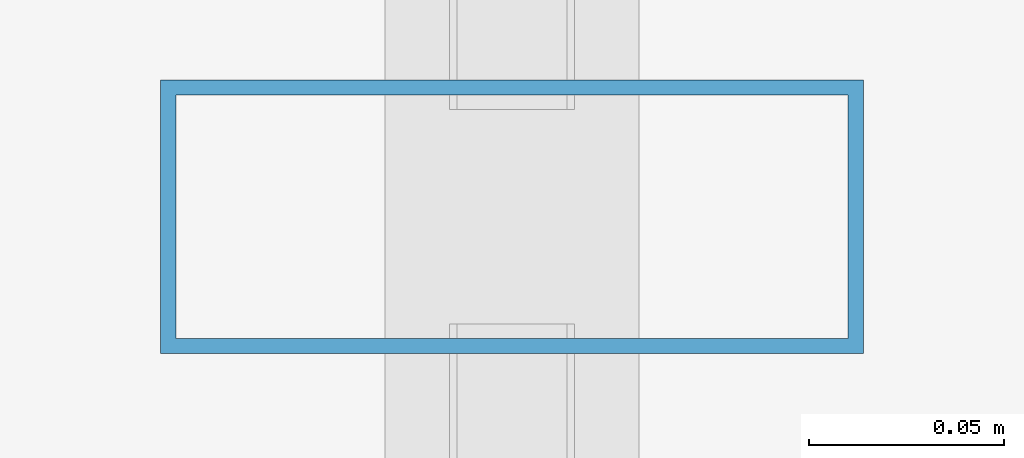
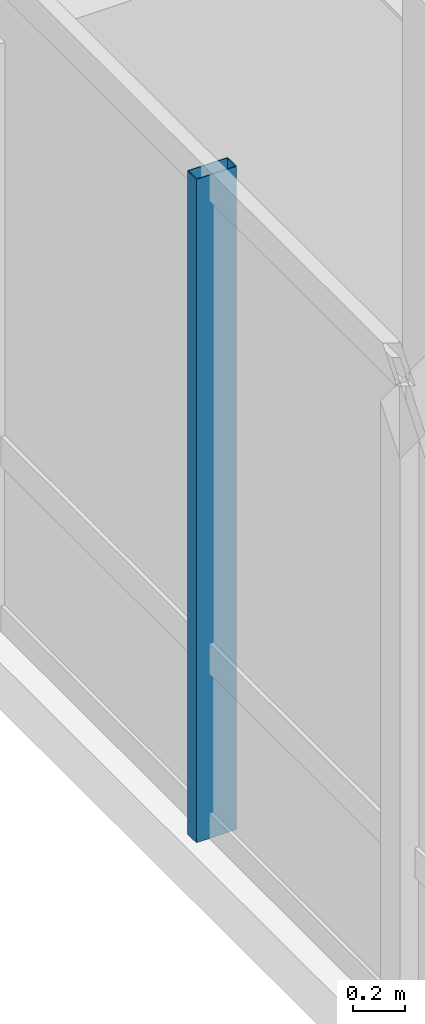
# One storey, part 12 of 33: 1 member, 1 element without a shape of its own.
"""IFC4 building model written with IfcOpenShell, lengths in metres."""

from ifc_helpers import new_model, si_unit, direction, frame, origin, origin_2d, place, context, subcontext, project, spatial, hollow_rectangle, extrude, material, layer, layer_set, material_profile, profile_set, type_object, element, aggregate, save


model = new_model("IFC4")

# Units and contexts
model_context = context("Model", 3, precision=1e-05, world=origin(), true_north=direction((0.0, 1.0)))
body_context = subcontext(model_context, "Body", "Model", "MODEL_VIEW")
ifc_project = project(units=[si_unit("LENGTHUNIT", "METRE"), si_unit("AREAUNIT", "SQUARE_METRE"), si_unit("VOLUMEUNIT", "CUBIC_METRE"), si_unit("PLANEANGLEUNIT", "RADIAN"), si_unit("MASSUNIT", "GRAM", prefix="KILO")], contexts=[model_context])

# Site, building, storey
site_placement = place(None, origin())
site = spatial("IfcSite", under=ifc_project, at=site_placement, CompositionType="ELEMENT")
building_placement = place(site_placement, origin())
building = spatial("IfcBuilding", under=site, at=building_placement, Name="Hatsunagi Terrace Concourse", CompositionType="ELEMENT")
storey_placement = place(building_placement, frame((0.0, 0.0, 53.35009765625)))
storey = spatial("IfcBuildingStorey", under=building, at=storey_placement, Name="L13", CompositionType="ELEMENT", Elevation=53.35009765625)

# Curtain wall, member
ifc_material_1 = material(Name="Anodised Aluminium Alloy 6063-T5", Category="aluminium")
ifc_layer = layer(ifc_material_1, 0.199951171875)
ifc_layer_set = layer_set([ifc_layer], Name="HotelFacade_CW02")
curtain_wall_type = type_object("IfcCurtainWallType", Name="HotelFacade_CW02", PredefinedType="NOTDEFINED", material=ifc_layer_set)
curtain_wall_placement = place(storey_placement, origin())
curtain_wall = element("IfcCurtainWall", 1, at=curtain_wall_placement, inside=storey, type_object=curtain_wall_type, Name="Unitised Curtain Wall CW-02 CW-L13-09", PredefinedType="NOTDEFINED")
ifc_material_2 = material(Name="Anodised Aluminium Alloy 6063-T5", Category="aluminium")
ifc_material_profile = material_profile(ifc_material_2, hollow_rectangle(XDim=0.070068359375, YDim=0.179931640625, WallThickness=0.00390625, at=origin_2d()), Name="ALU-MUL-180x70x4")
ifc_profile_set = profile_set([ifc_material_profile], Name="Anodised Aluminium Alloy 6063-T5")
member_type = type_object("IfcMemberType", Name="CurtainWallMullion_180x70", PredefinedType="MULLION", material=ifc_profile_set)
member_placement = place(storey_placement, frame((0.139892578125, 36.89990234375, 0.0), z_axis=(0.0, 0.0, 1.0), x_axis=(0.0, 1.0, 0.0)))
member = element("IfcMember", 2, at=member_placement, type_object=member_type, Name="Curtain Wall Mullion MUL-02", PredefinedType="MULLION", context=body_context, shape_type="SweptSolid", body=[
    extrude(hollow_rectangle(XDim=0.070068359375, YDim=0.179931640625, WallThickness=0.00390625, at=origin_2d()), origin(), (0.0, 0.0, 1.0), 3.1298828125),
])
aggregate(curtain_wall, [member])

save(model, "model.ifc")
